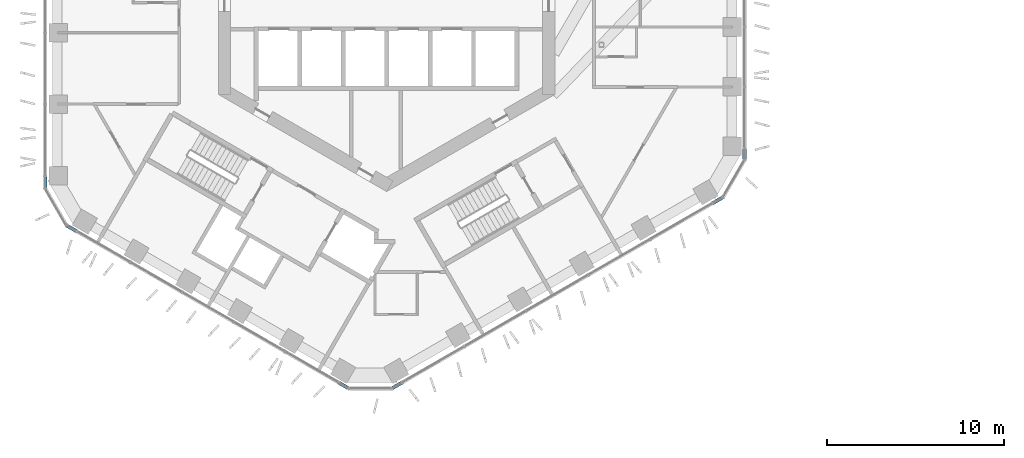
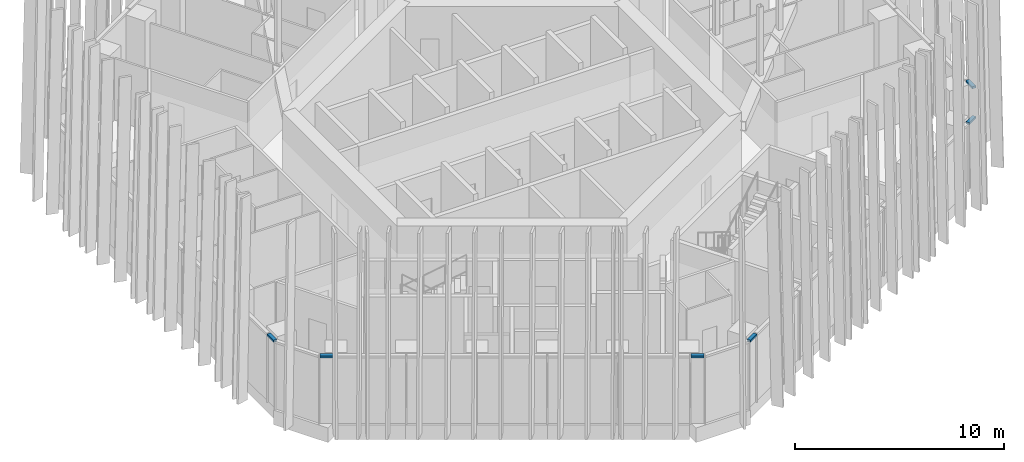
# One storey, part 11 of 31: 6 members, 3 elements without a shape of their own.
"""IFC4 building model written with IfcOpenShell, lengths in metres."""

from ifc_helpers import new_model, si_unit, direction, frame, origin, origin_2d, place, context, subcontext, project, spatial, rectangle, extrude, material, layer, layer_set, material_profile, profile_set, type_object, element, aggregate, save


model = new_model("IFC4")

# Units and contexts
model_context = context("Model", 3, precision=1e-05, world=origin(), true_north=direction((0.0, 1.0)))
body_context = subcontext(model_context, "Body", "Model", "MODEL_VIEW")
ifc_project = project(units=[si_unit("LENGTHUNIT", "METRE"), si_unit("AREAUNIT", "SQUARE_METRE"), si_unit("VOLUMEUNIT", "CUBIC_METRE"), si_unit("PLANEANGLEUNIT", "RADIAN"), si_unit("MASSUNIT", "GRAM", prefix="KILO")], contexts=[model_context])

# Site, building, storey
site_placement = place(None, origin())
site = spatial("IfcSite", under=ifc_project, at=site_placement, CompositionType="ELEMENT")
building_placement = place(site_placement, origin())
building = spatial("IfcBuilding", under=site, at=building_placement, Name="Ayvan Gate Tower", CompositionType="ELEMENT")
storey_placement = place(building_placement, frame((0.0, 0.0, 135.89990234375)))
storey = spatial("IfcBuildingStorey", under=building, at=storey_placement, Name="L36", CompositionType="ELEMENT", Elevation=135.89990234375)

# Curtain wall, members
ifc_material = material(Name="Bronze anodised aluminium", Category="aluminium")
ifc_layer = layer(ifc_material, 0.199951171875)
ifc_layer_set = layer_set([ifc_layer], Name="Bronze anodised aluminium")
curtain_wall_type = type_object("IfcCurtainWallType", Name="Stick curtain wall CW-6", PredefinedType="NOTDEFINED", material=ifc_layer_set)
curtain_wall_1_placement = place(storey_placement, origin())
curtain_wall_1 = element("IfcCurtainWall", 1, at=curtain_wall_1_placement, inside=storey, type_object=curtain_wall_type, Name="Stick curtain wall CW-6 L36", PredefinedType="NOTDEFINED")
ifc_material_profile = material_profile(ifc_material, rectangle(XDim=0.199951171875, YDim=0.1201171875, at=origin_2d()), Name="Stick curtain wall CW-6 transom 200 x 120")
ifc_profile_set = profile_set([ifc_material_profile], Name="Bronze anodised aluminium")
member_type = type_object("IfcMemberType", Name="Stick curtain wall CW-6 transom 200 x 120", PredefinedType="USERDEFINED", material=ifc_profile_set)
member_1_placement = place(storey_placement, frame((-19.263916015625, -10.14208984375, 3.940185546875), z_axis=(0.0, -1.0, 0.0), x_axis=(1.0, 0.0, 0.0)))
member_1 = element("IfcMember", 2, at=member_1_placement, type_object=member_type, Name="CW-6 transom 1", ObjectType="TRANSOM", PredefinedType="USERDEFINED", context=body_context, shape_type="SweptSolid", body=[
    extrude(rectangle(XDim=0.199951171875, YDim=0.1201171875, at=origin_2d()), origin(), (0.0, 0.0, 1.0), 0.625),
])
member_2_placement = place(storey_placement, frame((-18.034912109375, -12.895751953125, 3.940185546875), z_axis=(0.866022959057, -0.500004234368, 0.0), x_axis=(0.500004234368, 0.866022959057, 0.0)))
member_2 = element("IfcMember", 3, at=member_2_placement, type_object=member_type, Name="CW-6 transom 3", ObjectType="TRANSOM", PredefinedType="USERDEFINED", context=body_context, shape_type="SweptSolid", body=[
    extrude(rectangle(XDim=0.199951171875, YDim=0.1201171875, at=origin_2d()), origin(), (0.0, 0.0, 1.0), 0.625),
])
aggregate(curtain_wall_1, [member_1, member_2])

curtain_wall_2_placement = place(storey_placement, origin())
curtain_wall_2 = element("IfcCurtainWall", 4, at=curtain_wall_2_placement, inside=storey, type_object=curtain_wall_type, Name="Stick curtain wall CW-6 L36", PredefinedType="NOTDEFINED")
member_3_placement = place(storey_placement, frame((-2.69189453125, -21.754150390625, 3.940185546875), z_axis=(0.866022959057, -0.500004234368, 0.0), x_axis=(0.500004234368, 0.866022959057, 0.0)))
member_3 = element("IfcMember", 5, at=member_3_placement, type_object=member_type, Name="CW-6 transom 1", ObjectType="TRANSOM", PredefinedType="USERDEFINED", context=body_context, shape_type="SweptSolid", body=[
    extrude(rectangle(XDim=0.199951171875, YDim=0.1201171875, at=origin_2d()), origin(), (0.0, 0.0, 1.0), 0.625),
])
member_4_placement = place(storey_placement, frame((0.307373046875, -22.066650390625, 3.940185546875), z_axis=(0.866022959057, 0.500004234368, 0.0), x_axis=(-0.500004234368, 0.866022959057, 0.0)))
member_4 = element("IfcMember", 6, at=member_4_placement, type_object=member_type, Name="CW-6 transom 3", ObjectType="TRANSOM", PredefinedType="USERDEFINED", context=body_context, shape_type="SweptSolid", body=[
    extrude(rectangle(XDim=0.199951171875, YDim=0.1201171875, at=origin_2d()), origin(), (0.0, 0.0, 1.0), 0.625),
])
aggregate(curtain_wall_2, [member_3, member_4])

curtain_wall_3_placement = place(storey_placement, origin())
curtain_wall_3 = element("IfcCurtainWall", 7, at=curtain_wall_3_placement, inside=storey, type_object=curtain_wall_type, Name="Stick curtain wall CW-6 L36", PredefinedType="NOTDEFINED")
member_5_placement = place(storey_placement, frame((18.415283203125, -11.612060546875, 3.940185546875), z_axis=(0.866022959057, 0.500004234368, 0.0), x_axis=(-0.500004234368, 0.866022959057, 0.0)))
member_5 = element("IfcMember", 8, at=member_5_placement, type_object=member_type, Name="CW-6 transom 1", ObjectType="TRANSOM", PredefinedType="USERDEFINED", context=body_context, shape_type="SweptSolid", body=[
    extrude(rectangle(XDim=0.199951171875, YDim=0.1201171875, at=origin_2d()), origin(), (0.0, 0.0, 1.0), 0.625),
])
member_6_placement = place(storey_placement, frame((20.185546875, -9.1708984375, 3.940185546875), z_axis=(0.0, 1.0, 0.0), x_axis=(-1.0, 0.0, 0.0)))
member_6 = element("IfcMember", 9, at=member_6_placement, type_object=member_type, Name="CW-6 transom 3", ObjectType="TRANSOM", PredefinedType="USERDEFINED", context=body_context, shape_type="SweptSolid", body=[
    extrude(rectangle(XDim=0.199951171875, YDim=0.1201171875, at=origin_2d()), origin(), (0.0, 0.0, 1.0), 0.625),
])
aggregate(curtain_wall_3, [member_5, member_6])

save(model, "model.ifc")
